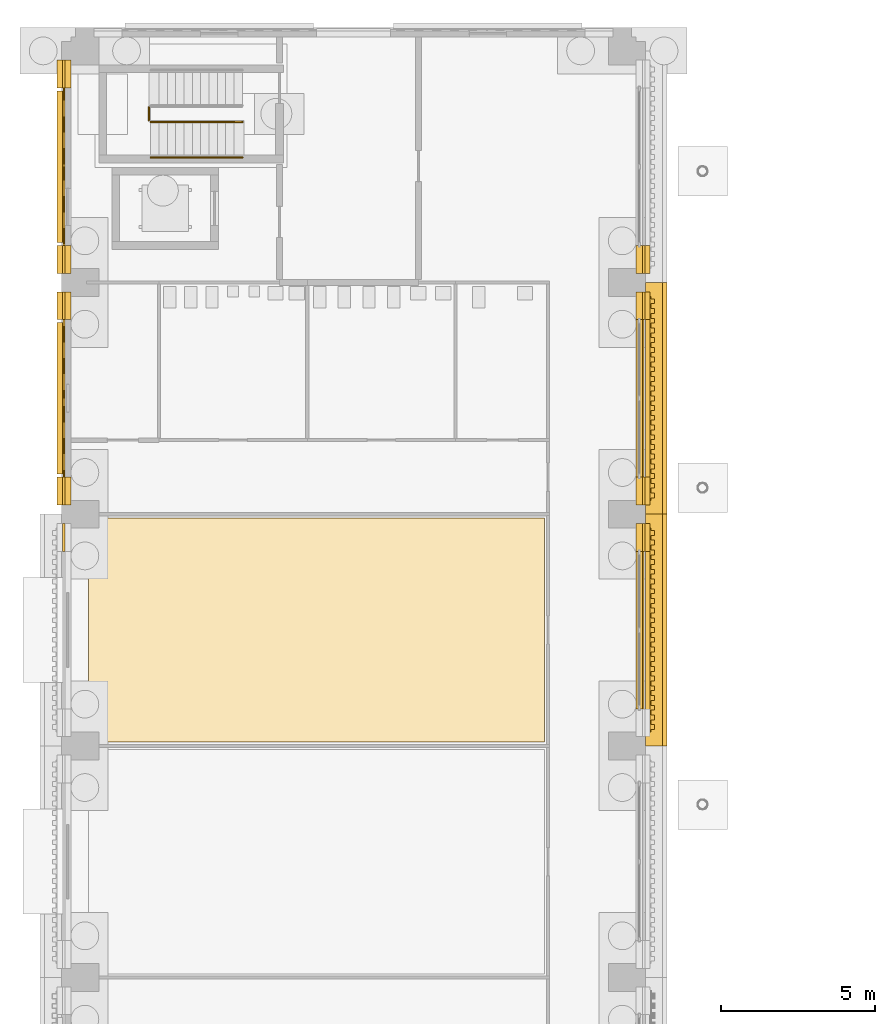
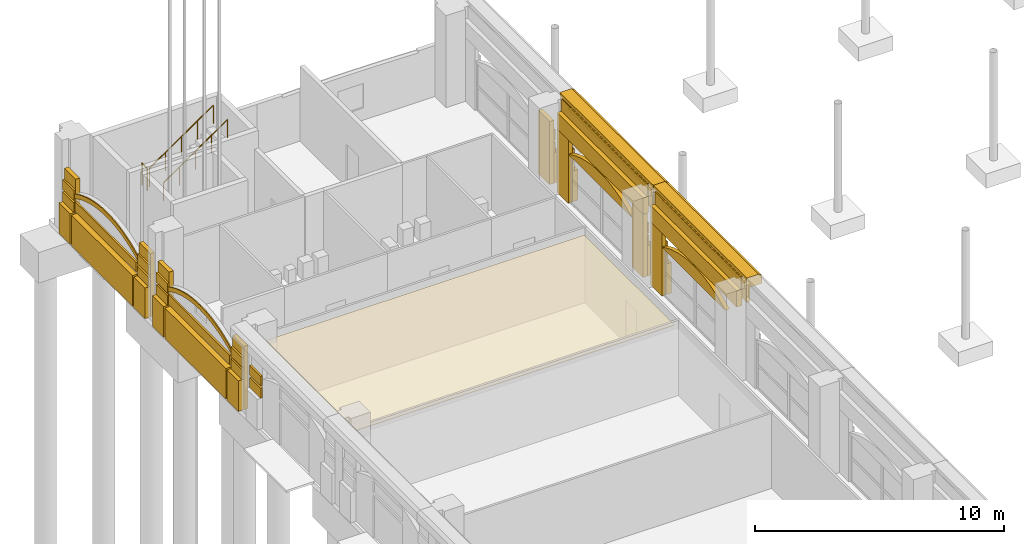
# One storey, part 75 of 99: 49 coverings, 3 railings.
"""IFC4 building model written with IfcOpenShell, lengths in metres."""

from ifc_helpers import new_model, si_unit, direction, frame, origin, origin_2d, place, context, subcontext, project, spatial, polyline, circle, outline, extrude, material, layer, layer_set, type_object, element, save


model = new_model("IFC4")

# Units and contexts
model_context = context("Model", 3, precision=1e-05, world=origin(), true_north=direction((0.0, 1.0)))
body_context = subcontext(model_context, "Body", "Model", "MODEL_VIEW")
ifc_project = project(units=[si_unit("LENGTHUNIT", "METRE"), si_unit("AREAUNIT", "SQUARE_METRE"), si_unit("VOLUMEUNIT", "CUBIC_METRE"), si_unit("PLANEANGLEUNIT", "RADIAN"), si_unit("MASSUNIT", "GRAM", prefix="KILO")], contexts=[model_context])

# Site, building, storey
site_placement = place(None, origin())
site = spatial("IfcSite", under=ifc_project, at=site_placement, CompositionType="ELEMENT")
building_placement = place(site_placement, origin())
building = spatial("IfcBuilding", under=site, at=building_placement, Name="Cour d'Honneur Mobility Palace", CompositionType="ELEMENT")
storey_placement = place(building_placement, origin())
storey = spatial("IfcBuildingStorey", under=building, at=storey_placement, Name="L00", CompositionType="ELEMENT", Elevation=0.0)

# Coverings
ifc_material_1 = material(Name="Cast limestone", Category="masonry")
ifc_layer_1 = layer(ifc_material_1, 0.050048828125)
ifc_layer_set_1 = layer_set([ifc_layer_1], Name="Cast limestone")
covering_type_1 = type_object("IfcCoveringType", Name="Arch hood", PredefinedType="CLADDING", material=ifc_layer_set_1)
for number, where, z_axis, x_axis, name in (
    (1, (-0.699951171875, 113.699951171875, 2.179931640625), (-1.0, 0.0, 0.0), (0.0, -0.893466628376, 0.449129584839), "Arch hood AH-48"),
    (2, (-0.699951171875, 106.199951171875, 2.179931640625), (-1.0, 0.0, 0.0), (0.0, -0.893466628376, 0.449129584839), "Arch hood AH-49"),
):
    element("IfcCovering", number, at=place(storey_placement, frame(where, z_axis=z_axis, x_axis=x_axis)), inside=storey, type_object=covering_type_1, Name=name, PredefinedType="CLADDING", context=body_context, shape_type="SweptSolid", body=[
        extrude(outline(polyline([(0.0, 0.0), (0.35659251896621735, 0.0), (0.7019994885684498, -0.022795326888668588), (1.036770332748469, -0.0667494093809779), (1.3614544754480467, -0.13022567619190017), (1.6770364335570624, -0.21235277137119013), (1.9834088964060255, -0.3122569988605455), (2.2812274285521696, -0.4297213972129261), (2.570383549271975, -0.5644181841497155), (2.850768777841922, -0.7160195773922962), (3.122709726486599, -0.8849630099968336), (3.38566048142632, -1.0712473119092998), (3.6398380041081246, -1.2755280476869282), (3.8846952106983004, -1.4983499610553759), (4.119465715808033, -1.740694058742436), (4.343818226996622, -2.004306562810686), (4.556548925819088, -2.2904950922125074), (4.655344276390369, -2.0939586097498237), (4.44272322834545, -1.807551948846934), (4.218261066379314, -1.5441575762797524), (3.9834905612695803, -1.3018134785926923), (3.7387430054569535, -1.078773433723176), (3.4844558319976, -0.8747108294466162), (3.221505077057879, -0.68842652753415), (2.949564128413202, -0.5194830949296125), (2.669178899843255, -0.3678817016870317), (2.3800227791234496, -0.2331849147502425), (2.0822042469773057, -0.11572051639786185), (1.7758317841283424, -0.015816288908506504), (1.4603594767968753, 0.06652893777185187), (1.135565683319749, 0.12978707308170578), (0.8007948391397299, 0.17374115557401504), (0.45549752031504603, 0.1967546139637521), (0.09879535057128006, 0.19653648246268365), (0.0, 0.0)])), origin(), (0.0, 0.0, -1.0), 0.050048828125),
    ])
ifc_material_2 = material(Name="Cast limestone", Category="masonry")
ifc_layer_2 = layer(ifc_material_2, 0.199951171875)
ifc_layer_set_2 = layer_set([ifc_layer_2], Name="Cast limestone")
covering_type_2 = type_object("IfcCoveringType", Name="Arch tympanum panel", PredefinedType="CLADDING", material=ifc_layer_set_2)
for number, where, z_axis, x_axis, name in (
    (3, (18.050048828125, 93.60009765625, 2.39990234375), (1.0, 0.0, 0.0), (0.0, 1.0, 0.0), "Arch tympanum panel TP-13"),
    (4, (18.050048828125, 101.10009765625, 2.39990234375), (1.0, 0.0, 0.0), (0.0, 1.0, 0.0), "Arch tympanum panel TP-14"),
):
    element("IfcCovering", number, at=place(storey_placement, frame(where, z_axis=z_axis, x_axis=x_axis)), inside=storey, type_object=covering_type_2, Name=name, PredefinedType="CLADDING", context=body_context, shape_type="SweptSolid", body=[
        extrude(outline(polyline([(0.0, 0.0), (5.099853515625, 0.0), (5.099853515625, 0.0), (4.78125, 0.160400390625), (4.46240234375, 0.294921875), (4.1435546875, 0.406005859375), (3.824951171875, 0.495361328125), (3.506103515625, 0.5634765625), (3.1875, 0.61181640625), (2.86865234375, 0.640625), (2.5498046875, 0.650146484375), (2.231201171875, 0.640625), (1.912353515625, 0.61181640625), (1.59375, 0.5634765625), (1.27490234375, 0.495361328125), (0.9560546875, 0.406005859375), (0.637451171875, 0.294921875), (0.318603515625, 0.160400390625), (0.0, 0.0), (0.0, 0.0)])), origin(), (0.0, 0.0, -1.0), 0.199951171875),
    ])
ifc_material_3 = material(Name="Cast limestone", Category="masonry")
ifc_layer_3 = layer(ifc_material_3, 0.14990234375)
ifc_layer_set_3 = layer_set([ifc_layer_3], Name="Cast limestone")
covering_type_3 = type_object("IfcCoveringType", Name="Dentil course", PredefinedType="CLADDING", material=ifc_layer_set_3)
covering_1_placement = place(storey_placement, frame((0.0, 0.0, 3.949951171875)))
element("IfcCovering", 5, at=covering_1_placement, inside=storey, type_object=covering_type_3, Name="Dentil course DC-59", PredefinedType="CLADDING", context=body_context, shape_type="SweptSolid", body=[
    extrude(outline(polyline([(18.300048828125, 92.85009765625), (18.300048828125, 99.449951171875), (18.330078125, 99.449951171875), (18.330078125, 99.449951171875), (18.330078125, 99.371337890625), (18.449951171875, 99.371337890625), (18.449951171875, 99.21435546875), (18.330078125, 99.21435546875), (18.330078125, 99.1357421875), (18.330078125, 99.1357421875), (18.330078125, 99.05712890625), (18.449951171875, 99.05712890625), (18.449951171875, 98.89990234375), (18.330078125, 98.89990234375), (18.330078125, 98.821533203125), (18.330078125, 98.821533203125), (18.330078125, 98.742919921875), (18.449951171875, 98.742919921875), (18.449951171875, 98.585693359375), (18.330078125, 98.585693359375), (18.330078125, 98.507080078125), (18.330078125, 98.507080078125), (18.330078125, 98.428466796875), (18.449951171875, 98.428466796875), (18.449951171875, 98.271484375), (18.330078125, 98.271484375), (18.330078125, 98.19287109375), (18.330078125, 98.19287109375), (18.330078125, 98.1142578125), (18.449951171875, 98.1142578125), (18.449951171875, 97.95703125), (18.330078125, 97.95703125), (18.330078125, 97.878662109375), (18.330078125, 97.878662109375), (18.330078125, 97.800048828125), (18.449951171875, 97.800048828125), (18.449951171875, 97.642822265625), (18.330078125, 97.642822265625), (18.330078125, 97.564208984375), (18.330078125, 97.564208984375), (18.330078125, 97.485595703125), (18.449951171875, 97.485595703125), (18.449951171875, 97.32861328125), (18.330078125, 97.32861328125), (18.330078125, 97.25), (18.330078125, 97.25), (18.330078125, 97.17138671875), (18.449951171875, 97.17138671875), (18.449951171875, 97.014404296875), (18.330078125, 97.014404296875), (18.330078125, 96.935791015625), (18.330078125, 96.935791015625), (18.330078125, 96.857177734375), (18.449951171875, 96.857177734375), (18.449951171875, 96.699951171875), (18.330078125, 96.699951171875), (18.330078125, 96.621337890625), (18.330078125, 96.621337890625), (18.330078125, 96.54296875), (18.449951171875, 96.54296875), (18.449951171875, 96.3857421875), (18.330078125, 96.3857421875), (18.330078125, 96.30712890625), (18.330078125, 96.30712890625), (18.330078125, 96.228515625), (18.449951171875, 96.228515625), (18.449951171875, 96.071533203125), (18.330078125, 96.071533203125), (18.330078125, 95.992919921875), (18.330078125, 95.992919921875), (18.330078125, 95.914306640625), (18.449951171875, 95.914306640625), (18.449951171875, 95.757080078125), (18.330078125, 95.757080078125), (18.330078125, 95.678466796875), (18.330078125, 95.678466796875), (18.330078125, 95.60009765625), (18.449951171875, 95.60009765625), (18.449951171875, 95.44287109375), (18.330078125, 95.44287109375), (18.330078125, 95.3642578125), (18.330078125, 95.3642578125), (18.330078125, 95.28564453125), (18.449951171875, 95.28564453125), (18.449951171875, 95.128662109375), (18.330078125, 95.128662109375), (18.330078125, 95.050048828125), (18.330078125, 95.050048828125), (18.330078125, 94.971435546875), (18.449951171875, 94.971435546875), (18.449951171875, 94.814208984375), (18.330078125, 94.814208984375), (18.330078125, 94.735595703125), (18.330078125, 94.735595703125), (18.330078125, 94.6572265625), (18.449951171875, 94.6572265625), (18.449951171875, 94.5), (18.330078125, 94.5), (18.330078125, 94.42138671875), (18.330078125, 94.42138671875), (18.330078125, 94.3427734375), (18.449951171875, 94.3427734375), (18.449951171875, 94.185791015625), (18.330078125, 94.185791015625), (18.330078125, 94.107177734375), (18.330078125, 94.107177734375), (18.330078125, 94.028564453125), (18.449951171875, 94.028564453125), (18.449951171875, 93.871337890625), (18.330078125, 93.871337890625), (18.330078125, 93.79296875), (18.330078125, 93.79296875), (18.330078125, 93.71435546875), (18.449951171875, 93.71435546875), (18.449951171875, 93.55712890625), (18.330078125, 93.55712890625), (18.330078125, 93.478515625), (18.330078125, 93.478515625), (18.330078125, 93.39990234375), (18.449951171875, 93.39990234375), (18.449951171875, 93.242919921875), (18.330078125, 93.242919921875), (18.330078125, 93.164306640625), (18.330078125, 93.164306640625), (18.330078125, 93.085693359375), (18.449951171875, 93.085693359375), (18.449951171875, 92.928466796875), (18.330078125, 92.928466796875), (18.330078125, 92.85009765625), (18.300048828125, 92.85009765625)])), origin(), (0.0, 0.0, 1.0), 0.150146484375),
])
covering_2_placement = place(storey_placement, frame((0.0, 0.0, 3.949951171875)))
element("IfcCovering", 6, at=covering_2_placement, inside=storey, type_object=covering_type_3, Name="Dentil course DC-60", PredefinedType="CLADDING", context=body_context, shape_type="SweptSolid", body=[
    extrude(outline(polyline([(18.300048828125, 100.35009765625), (18.300048828125, 106.949951171875), (18.330078125, 106.949951171875), (18.330078125, 106.949951171875), (18.330078125, 106.871337890625), (18.449951171875, 106.871337890625), (18.449951171875, 106.71435546875), (18.330078125, 106.71435546875), (18.330078125, 106.6357421875), (18.330078125, 106.6357421875), (18.330078125, 106.55712890625), (18.449951171875, 106.55712890625), (18.449951171875, 106.39990234375), (18.330078125, 106.39990234375), (18.330078125, 106.321533203125), (18.330078125, 106.321533203125), (18.330078125, 106.242919921875), (18.449951171875, 106.242919921875), (18.449951171875, 106.085693359375), (18.330078125, 106.085693359375), (18.330078125, 106.007080078125), (18.330078125, 106.007080078125), (18.330078125, 105.928466796875), (18.449951171875, 105.928466796875), (18.449951171875, 105.771484375), (18.330078125, 105.771484375), (18.330078125, 105.69287109375), (18.330078125, 105.69287109375), (18.330078125, 105.6142578125), (18.449951171875, 105.6142578125), (18.449951171875, 105.45703125), (18.330078125, 105.45703125), (18.330078125, 105.378662109375), (18.330078125, 105.378662109375), (18.330078125, 105.300048828125), (18.449951171875, 105.300048828125), (18.449951171875, 105.142822265625), (18.330078125, 105.142822265625), (18.330078125, 105.064208984375), (18.330078125, 105.064208984375), (18.330078125, 104.985595703125), (18.449951171875, 104.985595703125), (18.449951171875, 104.82861328125), (18.330078125, 104.82861328125), (18.330078125, 104.75), (18.330078125, 104.75), (18.330078125, 104.67138671875), (18.449951171875, 104.67138671875), (18.449951171875, 104.514404296875), (18.330078125, 104.514404296875), (18.330078125, 104.435791015625), (18.330078125, 104.435791015625), (18.330078125, 104.357177734375), (18.449951171875, 104.357177734375), (18.449951171875, 104.199951171875), (18.330078125, 104.199951171875), (18.330078125, 104.121337890625), (18.330078125, 104.121337890625), (18.330078125, 104.04296875), (18.449951171875, 104.04296875), (18.449951171875, 103.8857421875), (18.330078125, 103.8857421875), (18.330078125, 103.80712890625), (18.330078125, 103.80712890625), (18.330078125, 103.728515625), (18.449951171875, 103.728515625), (18.449951171875, 103.571533203125), (18.330078125, 103.571533203125), (18.330078125, 103.492919921875), (18.330078125, 103.492919921875), (18.330078125, 103.414306640625), (18.449951171875, 103.414306640625), (18.449951171875, 103.257080078125), (18.330078125, 103.257080078125), (18.330078125, 103.178466796875), (18.330078125, 103.178466796875), (18.330078125, 103.10009765625), (18.449951171875, 103.10009765625), (18.449951171875, 102.94287109375), (18.330078125, 102.94287109375), (18.330078125, 102.8642578125), (18.330078125, 102.8642578125), (18.330078125, 102.78564453125), (18.449951171875, 102.78564453125), (18.449951171875, 102.628662109375), (18.330078125, 102.628662109375), (18.330078125, 102.550048828125), (18.330078125, 102.550048828125), (18.330078125, 102.471435546875), (18.449951171875, 102.471435546875), (18.449951171875, 102.314208984375), (18.330078125, 102.314208984375), (18.330078125, 102.235595703125), (18.330078125, 102.235595703125), (18.330078125, 102.1572265625), (18.449951171875, 102.1572265625), (18.449951171875, 102.0), (18.330078125, 102.0), (18.330078125, 101.92138671875), (18.330078125, 101.92138671875), (18.330078125, 101.8427734375), (18.449951171875, 101.8427734375), (18.449951171875, 101.685791015625), (18.330078125, 101.685791015625), (18.330078125, 101.607177734375), (18.330078125, 101.607177734375), (18.330078125, 101.528564453125), (18.449951171875, 101.528564453125), (18.449951171875, 101.371337890625), (18.330078125, 101.371337890625), (18.330078125, 101.29296875), (18.330078125, 101.29296875), (18.330078125, 101.21435546875), (18.449951171875, 101.21435546875), (18.449951171875, 101.05712890625), (18.330078125, 101.05712890625), (18.330078125, 100.978515625), (18.330078125, 100.978515625), (18.330078125, 100.89990234375), (18.449951171875, 100.89990234375), (18.449951171875, 100.742919921875), (18.330078125, 100.742919921875), (18.330078125, 100.664306640625), (18.330078125, 100.664306640625), (18.330078125, 100.585693359375), (18.449951171875, 100.585693359375), (18.449951171875, 100.428466796875), (18.330078125, 100.428466796875), (18.330078125, 100.35009765625), (18.300048828125, 100.35009765625)])), origin(), (0.0, 0.0, 1.0), 0.150146484375),
])
ifc_material_4 = material(Name="Cast limestone", Category="masonry")
ifc_layer_4 = layer(ifc_material_4, 0.699951171875)
ifc_layer_set_4 = layer_set([ifc_layer_4], Name="Cast limestone")
covering_type_4 = type_object("IfcCoveringType", Name="Entablature", PredefinedType="CLADDING", material=ifc_layer_set_4)
for number, where, z_axis, x_axis, name in (
    (7, (18.14990234375, 92.39990234375, 3.39990234375), (0.0, -1.0, 0.0), (1.0, 0.0, 0.0), "Entablature EN-59"),
    (8, (18.14990234375, 99.89990234375, 3.39990234375), (0.0, -1.0, 0.0), (1.0, 0.0, 0.0), "Entablature EN-60"),
):
    element("IfcCovering", number, at=place(storey_placement, frame(where, z_axis=z_axis, x_axis=x_axis)), inside=storey, type_object=covering_type_4, Name=name, PredefinedType="CLADDING", context=body_context, shape_type="SweptSolid", body=[
        extrude(outline(polyline([(0.0, 0.0), (0.150146484375, 0.0), (0.150146484375, 0.7001953125), (0.7001953125, 0.7001953125), (0.7001953125, 1.10009765625), (0.550048828125, 1.2001953125), (0.0, 1.2001953125), (0.0, 0.0)])), origin(), (0.0, 0.0, -1.0), 7.5),
    ])

# Railings
ifc_material_5 = material(Name="Painted steel", Category="steel")
railing_type_1 = type_object("IfcRailingType", Name="Guardrail 1100", PredefinedType="GUARDRAIL", material=ifc_material_5)
railing_placement = place(storey_placement, frame((2.070068359375, 112.64990234375, 2.25)))
element("IfcRailing", 9, at=railing_placement, inside=storey, type_object=railing_type_1, Name="Landing guard ST-NW1", PredefinedType="GUARDRAIL", context=body_context, shape_type="SweptSolid", body=[
    extrude(circle(Radius=0.02490234375, at=origin_2d()), frame((0.0, 0.0, 1.0751953125), z_axis=(0.0, 1.0, 0.0), x_axis=(-1.0, 0.0, 0.0)), (0.0, 0.0, 1.0), 0.425048828125),
    extrude(circle(Radius=0.02099609375, at=origin_2d()), origin(), (0.0, 0.0, 1.0), 1.050048828125),
    extrude(circle(Radius=0.02099609375, at=origin_2d()), frame((0.0, 0.425048828125, 0.0)), (0.0, 0.0, 1.0), 1.050048828125),
])
ifc_material_6 = material(Name="Stainless steel", Category="steel")
railing_type_2 = type_object("IfcRailingType", Name="Handrail round 50", PredefinedType="HANDRAIL", material=ifc_material_6)
for number, where, name in (
    (10, (2.1298828125, 112.60009765625, 2.4375), "Handrail ST-NW1"),
    (11, (2.1298828125, 111.449951171875, 2.4375), "Handrail ST-NW1"),
):
    element("IfcRailing", number, at=place(storey_placement, frame(where)), inside=storey, type_object=railing_type_2, Name=name, PredefinedType="HANDRAIL", context=body_context, shape_type="SweptSolid", body=[
        extrude(circle(Radius=0.02490234375, at=origin_2d()), frame((0.0, 0.0, 0.89501953125), z_axis=(0.821389295411, 0.0, 0.570367973667), x_axis=(0.0, 1.0, 0.0)), (0.0, 0.0, 1.0), 3.615966796875),
        extrude(circle(Radius=0.02099609375, at=origin_2d()), origin(), (0.0, 0.0, 1.0), 0.869873046875),
        extrude(circle(Radius=0.02099609375, at=origin_2d()), frame((0.74267578125, 0.0, 0.515625)), (0.0, 0.0, 1.0), 0.869873046875),
        extrude(circle(Radius=0.02099609375, at=origin_2d()), frame((1.485107421875, 0.0, 1.03125)), (0.0, 0.0, 1.0), 0.869873046875),
        extrude(circle(Radius=0.02099609375, at=origin_2d()), frame((2.2275390625, 0.0, 1.546875)), (0.0, 0.0, 1.0), 0.869873046875),
        extrude(circle(Radius=0.02099609375, at=origin_2d()), frame((2.97021484375, 0.0, 2.0625)), (0.0, 0.0, 1.0), 0.869873046875),
    ])

# Coverings
ifc_material_7 = material(Name="Cast limestone", Category="masonry")
ifc_layer_5 = layer(ifc_material_7, 0.25)
ifc_layer_set_5 = layer_set([ifc_layer_5], Name="Cast limestone")
covering_type_5 = type_object("IfcCoveringType", Name="Plinth course", PredefinedType="CLADDING", material=ifc_layer_set_5)
covering_3_placement = place(storey_placement, origin())
element("IfcCovering", 12, at=covering_3_placement, inside=storey, type_object=covering_type_5, Name="Plinth course PI-183", PredefinedType="CLADDING", context=body_context, shape_type="SweptSolid", body=[
    extrude(outline(polyline([(18.050048828125, 98.699951171875), (18.050048828125, 99.60009765625), (18.300048828125, 99.60009765625), (18.300048828125, 98.699951171875), (18.050048828125, 98.699951171875)])), origin(), (0.0, 0.0, 1.0), 1.5),
])
covering_4_placement = place(storey_placement, origin())
element("IfcCovering", 13, at=covering_4_placement, inside=storey, type_object=covering_type_5, Name="Plinth course PI-184", PredefinedType="CLADDING", context=body_context, shape_type="SweptSolid", body=[
    extrude(outline(polyline([(18.050048828125, 100.199951171875), (18.050048828125, 101.10009765625), (18.300048828125, 101.10009765625), (18.300048828125, 100.199951171875), (18.050048828125, 100.199951171875)])), origin(), (0.0, 0.0, 1.0), 1.5),
])
covering_5_placement = place(storey_placement, origin())
element("IfcCovering", 14, at=covering_5_placement, inside=storey, type_object=covering_type_5, Name="Plinth course PI-185", PredefinedType="CLADDING", context=body_context, shape_type="SweptSolid", body=[
    extrude(outline(polyline([(18.050048828125, 106.199951171875), (18.050048828125, 107.10009765625), (18.300048828125, 107.10009765625), (18.300048828125, 106.199951171875), (18.050048828125, 106.199951171875)])), origin(), (0.0, 0.0, 1.0), 1.5),
])
covering_6_placement = place(storey_placement, origin())
element("IfcCovering", 15, at=covering_6_placement, inside=storey, type_object=covering_type_5, Name="Plinth course PI-186", PredefinedType="CLADDING", context=body_context, shape_type="SweptSolid", body=[
    extrude(outline(polyline([(18.050048828125, 107.699951171875), (18.050048828125, 108.60009765625), (18.300048828125, 108.60009765625), (18.300048828125, 107.699951171875), (18.050048828125, 107.699951171875)])), origin(), (0.0, 0.0, 1.0), 1.5),
])
covering_7_placement = place(storey_placement, origin())
element("IfcCovering", 16, at=covering_7_placement, inside=storey, type_object=covering_type_5, Name="Plinth course PI-190", PredefinedType="CLADDING", context=body_context, shape_type="SweptSolid", body=[
    extrude(outline(polyline([(-0.64990234375, 114.60009765625), (-0.64990234375, 113.699951171875), (-0.89990234375, 113.699951171875), (-0.89990234375, 114.60009765625), (-0.64990234375, 114.60009765625)])), origin(), (0.0, 0.0, 1.0), 1.5),
])
covering_8_placement = place(storey_placement, origin())
element("IfcCovering", 17, at=covering_8_placement, inside=storey, type_object=covering_type_5, Name="Plinth course PI-191", PredefinedType="CLADDING", context=body_context, shape_type="SweptSolid", body=[
    extrude(outline(polyline([(-0.64990234375, 108.60009765625), (-0.64990234375, 107.699951171875), (-0.89990234375, 107.699951171875), (-0.89990234375, 108.60009765625), (-0.64990234375, 108.60009765625)])), origin(), (0.0, 0.0, 1.0), 1.5),
])
covering_9_placement = place(storey_placement, origin())
element("IfcCovering", 18, at=covering_9_placement, inside=storey, type_object=covering_type_5, Name="Plinth course PI-192", PredefinedType="CLADDING", context=body_context, shape_type="SweptSolid", body=[
    extrude(outline(polyline([(-0.64990234375, 113.60009765625), (-0.64990234375, 108.699951171875), (-0.89990234375, 108.699951171875), (-0.89990234375, 113.60009765625), (-0.64990234375, 113.60009765625)])), origin(), (0.0, 0.0, 1.0), 1.5),
])
covering_10_placement = place(storey_placement, origin())
element("IfcCovering", 19, at=covering_10_placement, inside=storey, type_object=covering_type_5, Name="Plinth course PI-193", PredefinedType="CLADDING", context=body_context, shape_type="SweptSolid", body=[
    extrude(outline(polyline([(-0.64990234375, 107.10009765625), (-0.64990234375, 106.199951171875), (-0.89990234375, 106.199951171875), (-0.89990234375, 107.10009765625), (-0.64990234375, 107.10009765625)])), origin(), (0.0, 0.0, 1.0), 1.5),
])
covering_11_placement = place(storey_placement, origin())
element("IfcCovering", 20, at=covering_11_placement, inside=storey, type_object=covering_type_5, Name="Plinth course PI-194", PredefinedType="CLADDING", context=body_context, shape_type="SweptSolid", body=[
    extrude(outline(polyline([(-0.64990234375, 101.10009765625), (-0.64990234375, 100.199951171875), (-0.89990234375, 100.199951171875), (-0.89990234375, 101.10009765625), (-0.64990234375, 101.10009765625)])), origin(), (0.0, 0.0, 1.0), 1.5),
])
covering_12_placement = place(storey_placement, origin())
element("IfcCovering", 21, at=covering_12_placement, inside=storey, type_object=covering_type_5, Name="Plinth course PI-195", PredefinedType="CLADDING", context=body_context, shape_type="SweptSolid", body=[
    extrude(outline(polyline([(-0.64990234375, 106.10009765625), (-0.64990234375, 101.199951171875), (-0.89990234375, 101.199951171875), (-0.89990234375, 106.10009765625), (-0.64990234375, 106.10009765625)])), origin(), (0.0, 0.0, 1.0), 1.5),
])
ifc_material_8 = material(Name="Cast limestone", Category="masonry")
ifc_layer_6 = layer(ifc_material_8, 0.199951171875)
ifc_layer_set_6 = layer_set([ifc_layer_6], Name="Cast limestone")
covering_type_6 = type_object("IfcCoveringType", Name="Rusticated jamb panel", PredefinedType="CLADDING", material=ifc_layer_set_6)
for number, where, z_axis, x_axis, name in (
    (22, (18.050048828125, 98.699951171875, 0.0), (1.0, 0.0, 0.0), (0.0, 1.0, 0.0), "Rusticated jamb panel RP-155"),
    (23, (18.050048828125, 100.199951171875, 0.0), (1.0, 0.0, 0.0), (0.0, 1.0, 0.0), "Rusticated jamb panel RP-156"),
    (24, (18.050048828125, 106.199951171875, 0.0), (1.0, 0.0, 0.0), (0.0, 1.0, 0.0), "Rusticated jamb panel RP-157"),
    (25, (18.050048828125, 107.699951171875, 0.0), (1.0, 0.0, 0.0), (0.0, 1.0, 0.0), "Rusticated jamb panel RP-158"),
    (26, (-0.64990234375, 114.60009765625, 0.0), (-1.0, 0.0, 0.0), (0.0, -1.0, 0.0), "Rusticated jamb panel RP-163"),
    (27, (-0.64990234375, 108.60009765625, 0.0), (-1.0, 0.0, 0.0), (0.0, -1.0, 0.0), "Rusticated jamb panel RP-164"),
    (28, (-0.64990234375, 107.10009765625, 0.0), (-1.0, 0.0, 0.0), (0.0, -1.0, 0.0), "Rusticated jamb panel RP-165"),
    (29, (-0.64990234375, 101.10009765625, 0.0), (-1.0, 0.0, 0.0), (0.0, -1.0, 0.0), "Rusticated jamb panel RP-166"),
):
    element("IfcCovering", number, at=place(storey_placement, frame(where, z_axis=z_axis, x_axis=x_axis)), inside=storey, type_object=covering_type_6, Name=name, PredefinedType="CLADDING", context=body_context, shape_type="SweptSolid", body=[
        extrude(outline(polyline([(0.0, 0.0), (0.900146484375, 0.0), (0.900146484375, 3.10009765625), (0.0, 3.10009765625), (0.0, 0.0)])), origin(), (0.0, 0.0, -1.0), 0.199951171875),
    ])
ifc_material_9 = material(Name="Cast limestone", Category="masonry")
ifc_layer_7 = layer(ifc_material_9, 0.080078125)
ifc_layer_set_7 = layer_set([ifc_layer_7], Name="Cast limestone")
covering_type_7 = type_object("IfcCoveringType", Name="Rustication course", PredefinedType="CLADDING", material=ifc_layer_set_7)
for number, where, name in (
    (30, (0.0, 0.0, 1.5), "Rustication course RC-330"),
    (31, (0.0, 0.0, 2.10009765625), "Rustication course RC-331"),
):
    element("IfcCovering", number, at=place(storey_placement, frame(where)), inside=storey, type_object=covering_type_7, Name=name, PredefinedType="CLADDING", context=body_context, shape_type="SweptSolid", body=[
        extrude(outline(polyline([(18.050048828125, 98.699951171875), (18.050048828125, 99.60009765625), (18.1298828125, 99.60009765625), (18.1298828125, 98.699951171875), (18.050048828125, 98.699951171875)])), origin(), (0.0, 0.0, 1.0), 0.47998046875),
    ])
for number, where, name in (
    (32, (0.0, 0.0, 1.5), "Rustication course RC-332"),
    (33, (0.0, 0.0, 2.10009765625), "Rustication course RC-333"),
):
    element("IfcCovering", number, at=place(storey_placement, frame(where)), inside=storey, type_object=covering_type_7, Name=name, PredefinedType="CLADDING", context=body_context, shape_type="SweptSolid", body=[
        extrude(outline(polyline([(18.050048828125, 100.199951171875), (18.050048828125, 101.10009765625), (18.1298828125, 101.10009765625), (18.1298828125, 100.199951171875), (18.050048828125, 100.199951171875)])), origin(), (0.0, 0.0, 1.0), 0.47998046875),
    ])
for number, where, name in (
    (34, (0.0, 0.0, 1.5), "Rustication course RC-334"),
    (35, (0.0, 0.0, 2.10009765625), "Rustication course RC-335"),
):
    element("IfcCovering", number, at=place(storey_placement, frame(where)), inside=storey, type_object=covering_type_7, Name=name, PredefinedType="CLADDING", context=body_context, shape_type="SweptSolid", body=[
        extrude(outline(polyline([(18.050048828125, 106.199951171875), (18.050048828125, 107.10009765625), (18.1298828125, 107.10009765625), (18.1298828125, 106.199951171875), (18.050048828125, 106.199951171875)])), origin(), (0.0, 0.0, 1.0), 0.47998046875),
    ])
for number, where, name in (
    (36, (0.0, 0.0, 1.5), "Rustication course RC-336"),
    (37, (0.0, 0.0, 2.10009765625), "Rustication course RC-337"),
):
    element("IfcCovering", number, at=place(storey_placement, frame(where)), inside=storey, type_object=covering_type_7, Name=name, PredefinedType="CLADDING", context=body_context, shape_type="SweptSolid", body=[
        extrude(outline(polyline([(18.050048828125, 107.699951171875), (18.050048828125, 108.60009765625), (18.1298828125, 108.60009765625), (18.1298828125, 107.699951171875), (18.050048828125, 107.699951171875)])), origin(), (0.0, 0.0, 1.0), 0.47998046875),
    ])
for number, where, name in (
    (38, (0.0, 0.0, 1.5), "Rustication course RC-351"),
    (39, (0.0, 0.0, 2.10009765625), "Rustication course RC-352"),
):
    element("IfcCovering", number, at=place(storey_placement, frame(where)), inside=storey, type_object=covering_type_7, Name=name, PredefinedType="CLADDING", context=body_context, shape_type="SweptSolid", body=[
        extrude(outline(polyline([(-0.64990234375, 114.60009765625), (-0.64990234375, 113.699951171875), (-0.72998046875, 113.699951171875), (-0.72998046875, 114.60009765625), (-0.64990234375, 114.60009765625)])), origin(), (0.0, 0.0, 1.0), 0.47998046875),
    ])
for number, where, name in (
    (40, (0.0, 0.0, 1.5), "Rustication course RC-353"),
    (41, (0.0, 0.0, 2.10009765625), "Rustication course RC-354"),
):
    element("IfcCovering", number, at=place(storey_placement, frame(where)), inside=storey, type_object=covering_type_7, Name=name, PredefinedType="CLADDING", context=body_context, shape_type="SweptSolid", body=[
        extrude(outline(polyline([(-0.64990234375, 108.60009765625), (-0.64990234375, 107.699951171875), (-0.72998046875, 107.699951171875), (-0.72998046875, 108.60009765625), (-0.64990234375, 108.60009765625)])), origin(), (0.0, 0.0, 1.0), 0.47998046875),
    ])
covering_13_placement = place(storey_placement, frame((0.0, 0.0, 1.6201171875)))
element("IfcCovering", 42, at=covering_13_placement, inside=storey, type_object=covering_type_7, Name="Rustication course RC-355", PredefinedType="CLADDING", context=body_context, shape_type="SweptSolid", body=[
    extrude(outline(polyline([(-0.64990234375, 113.60009765625), (-0.64990234375, 108.699951171875), (-0.72998046875, 108.699951171875), (-0.72998046875, 113.60009765625), (-0.64990234375, 113.60009765625)])), origin(), (0.0, 0.0, 1.0), 0.47998046875),
])
for number, where, name in (
    (43, (0.0, 0.0, 1.5), "Rustication course RC-356"),
    (44, (0.0, 0.0, 2.10009765625), "Rustication course RC-357"),
):
    element("IfcCovering", number, at=place(storey_placement, frame(where)), inside=storey, type_object=covering_type_7, Name=name, PredefinedType="CLADDING", context=body_context, shape_type="SweptSolid", body=[
        extrude(outline(polyline([(-0.64990234375, 107.10009765625), (-0.64990234375, 106.199951171875), (-0.72998046875, 106.199951171875), (-0.72998046875, 107.10009765625), (-0.64990234375, 107.10009765625)])), origin(), (0.0, 0.0, 1.0), 0.47998046875),
    ])
for number, where, name in (
    (45, (0.0, 0.0, 1.5), "Rustication course RC-358"),
    (46, (0.0, 0.0, 2.10009765625), "Rustication course RC-359"),
):
    element("IfcCovering", number, at=place(storey_placement, frame(where)), inside=storey, type_object=covering_type_7, Name=name, PredefinedType="CLADDING", context=body_context, shape_type="SweptSolid", body=[
        extrude(outline(polyline([(-0.64990234375, 101.10009765625), (-0.64990234375, 100.199951171875), (-0.72998046875, 100.199951171875), (-0.72998046875, 101.10009765625), (-0.64990234375, 101.10009765625)])), origin(), (0.0, 0.0, 1.0), 0.47998046875),
    ])
covering_14_placement = place(storey_placement, frame((0.0, 0.0, 1.6201171875)))
element("IfcCovering", 47, at=covering_14_placement, inside=storey, type_object=covering_type_7, Name="Rustication course RC-360", PredefinedType="CLADDING", context=body_context, shape_type="SweptSolid", body=[
    extrude(outline(polyline([(-0.64990234375, 106.10009765625), (-0.64990234375, 101.199951171875), (-0.72998046875, 101.199951171875), (-0.72998046875, 106.10009765625), (-0.64990234375, 106.10009765625)])), origin(), (0.0, 0.0, 1.0), 0.47998046875),
])
for number, where, name in (
    (48, (0.0, 0.0, 1.5), "Rustication course RC-361"),
    (49, (0.0, 0.0, 2.10009765625), "Rustication course RC-362"),
):
    element("IfcCovering", number, at=place(storey_placement, frame(where)), inside=storey, type_object=covering_type_7, Name=name, PredefinedType="CLADDING", context=body_context, shape_type="SweptSolid", body=[
        extrude(outline(polyline([(-0.64990234375, 99.60009765625), (-0.64990234375, 98.699951171875), (-0.72998046875, 98.699951171875), (-0.72998046875, 99.60009765625), (-0.64990234375, 99.60009765625)])), origin(), (0.0, 0.0, 1.0), 0.47998046875),
    ])
ifc_material_10 = material(Name="Cast limestone", Category="masonry")
ifc_layer_8 = layer(ifc_material_10, 0.25)
ifc_layer_set_8 = layer_set([ifc_layer_8], Name="Cast limestone")
covering_type_8 = type_object("IfcCoveringType", Name="Spandrel cladding", PredefinedType="CLADDING", material=ifc_layer_set_8)
for number, where, z_axis, x_axis, name in (
    (50, (17.85009765625, 92.699951171875, 3.10009765625), (0.0, -1.0, 0.0), (1.0, 0.0, 0.0), "Spandrel cladding SK-59"),
    (51, (17.85009765625, 100.199951171875, 3.10009765625), (0.0, -1.0, 0.0), (1.0, 0.0, 0.0), "Spandrel cladding SK-60"),
):
    element("IfcCovering", number, at=place(storey_placement, frame(where, z_axis=z_axis, x_axis=x_axis)), inside=storey, type_object=covering_type_8, Name=name, PredefinedType="CLADDING", context=body_context, shape_type="SweptSolid", body=[
        extrude(outline(polyline([(0.0, 0.0), (0.25, 0.0), (0.25, 1.39990234375), (0.199951171875, 1.39990234375), (0.199951171875, 0.7998046875), (0.0, 0.7998046875), (0.0, 0.0)])), origin(), (0.0, 0.0, -1.0), 6.89990234375),
    ])
ifc_material_11 = material(Name="Suspended ceiling")
ifc_layer_9 = layer(ifc_material_11, 0.030029296875)
ifc_layer_set_9 = layer_set([ifc_layer_9], Name="Suspended ceiling")
covering_type_9 = type_object("IfcCoveringType", Name="Suspended ceiling", PredefinedType="CEILING", material=ifc_layer_set_9)
covering_15_placement = place(storey_placement, frame((0.0, 0.0, 3.35009765625)))
element("IfcCovering", 52, at=covering_15_placement, inside=storey, type_object=covering_type_9, Name="Ceiling Shared-Mobility Station", PredefinedType="CEILING", context=body_context, shape_type="SweptSolid", body=[
    extrude(outline(polyline([(14.8798828125, 92.52001953125), (0.1201171875, 92.52001953125), (0.1201171875, 99.780029296875), (14.8798828125, 99.780029296875), (14.8798828125, 92.52001953125)])), origin(), (0.0, 0.0, 1.0), 0.02978515625),
])

save(model, "model.ifc")
